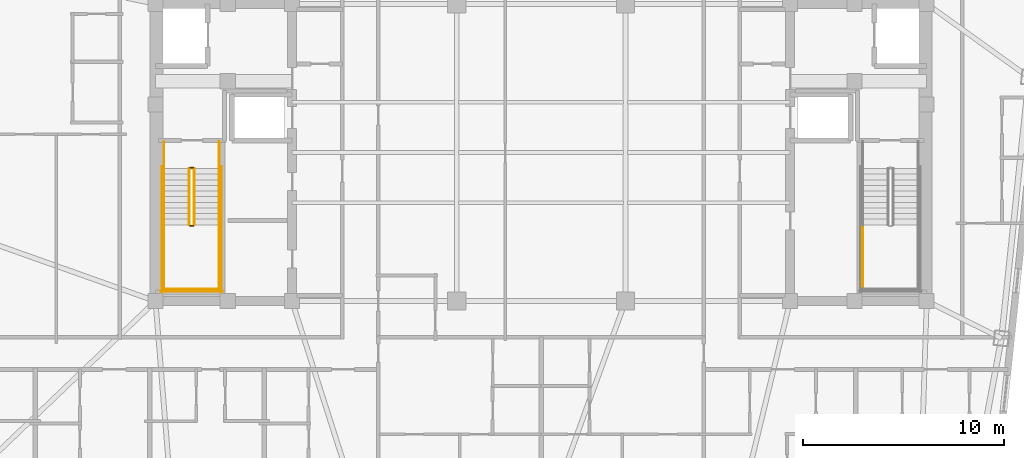
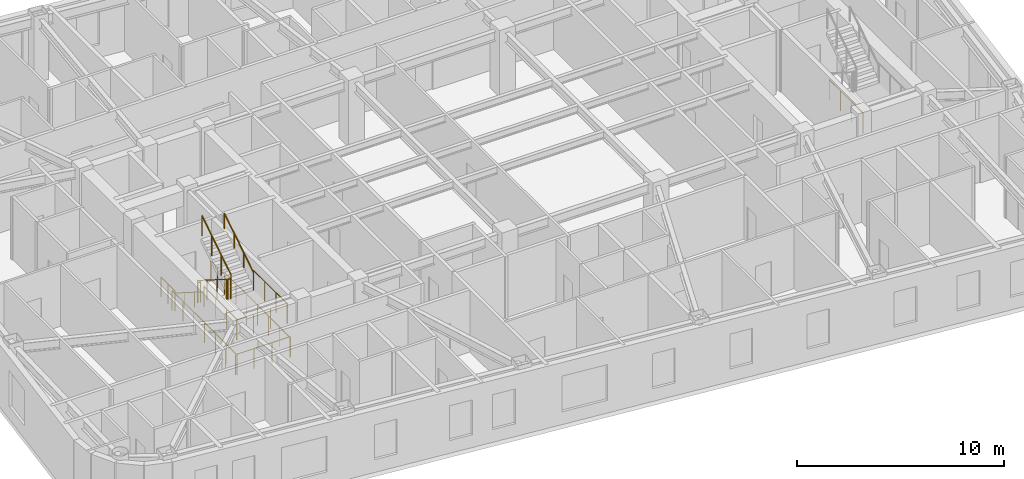
# One storey, part 10 of 11: 15 railings.
"""IFC4 building model written with IfcOpenShell, lengths in metres."""

from ifc_helpers import new_model, si_unit, direction, frame, origin, origin_2d, place, context, subcontext, project, spatial, circle, extrude, material, type_object, element, save


model = new_model("IFC4")

# Units and contexts
model_context = context("Model", 3, precision=1e-05, world=origin(), true_north=direction((0.0, 1.0)))
body_context = subcontext(model_context, "Body", "Model", "MODEL_VIEW")
ifc_project = project(units=[si_unit("LENGTHUNIT", "METRE"), si_unit("AREAUNIT", "SQUARE_METRE"), si_unit("VOLUMEUNIT", "CUBIC_METRE"), si_unit("PLANEANGLEUNIT", "RADIAN"), si_unit("MASSUNIT", "GRAM", prefix="KILO")], contexts=[model_context])

# Site, building, storey
site_placement = place(None, origin())
site = spatial("IfcSite", under=ifc_project, at=site_placement, CompositionType="ELEMENT")
building_placement = place(site_placement, origin())
building = spatial("IfcBuilding", under=site, at=building_placement, Name="Voryun Gate Residences", CompositionType="ELEMENT")
storey_placement = place(building_placement, frame((0.0, 0.0, 283.39990234375)))
storey = spatial("IfcBuildingStorey", under=building, at=storey_placement, Name="L70", CompositionType="ELEMENT", Elevation=283.39990234375)

# Railings
ifc_material_1 = material(Name="Painted steel", Category="steel")
railing_type_1 = type_object("IfcRailingType", Name="RAIL_STAIR_GUARD_1200", PredefinedType="GUARDRAIL", material=ifc_material_1)
railing_1_placement = place(storey_placement, frame((-17.52490234375, -0.800048828125, 0.177490234375)))
element("IfcRailing", 1, at=railing_1_placement, inside=storey, type_object=railing_type_1, Name="L70 ST-W1 stair guard 1", PredefinedType="GUARDRAIL", context=body_context, shape_type="SweptSolid", body=[
    extrude(circle(Radius=0.02392578125, at=origin_2d()), frame((0.0, 0.0, 1.17578125), z_axis=(0.0, -0.844908973607, 0.534910110503), x_axis=(1.0, 0.0, 0.0)), (0.0, 0.0, 1.0), 3.31396484375),
    extrude(circle(Radius=0.02099609375, at=origin_2d()), origin(), (0.0, 0.0, 1.0), 1.15185546875),
    extrude(circle(Radius=0.02099609375, at=origin_2d()), frame((0.0, -0.933349609375, 0.5908203125)), (0.0, 0.0, 1.0), 1.15185546875),
    extrude(circle(Radius=0.02099609375, at=origin_2d()), frame((0.0, -1.86669921875, 1.181884765625)), (0.0, 0.0, 1.0), 1.15185546875),
    extrude(circle(Radius=0.02099609375, at=origin_2d()), frame((0.0, -2.800048828125, 1.772705078125)), (0.0, 0.0, 1.0), 1.15185546875),
])
railing_2_placement = place(storey_placement, frame((-17.47509765625, -3.64990234375, 1.9501953125)))
element("IfcRailing", 2, at=railing_2_placement, inside=storey, type_object=railing_type_1, Name="L70 ST-W1 stair guard 2", PredefinedType="GUARDRAIL", context=body_context, shape_type="SweptSolid", body=[
    extrude(circle(Radius=0.02392578125, at=origin_2d()), frame((0.0, 0.0, 1.17578125), z_axis=(1.0, 0.0, 0.0), x_axis=(0.0, 1.0, 0.0)), (0.0, 0.0, 1.0), 0.150146484375),
    extrude(circle(Radius=0.02099609375, at=origin_2d()), origin(), (0.0, 0.0, 1.0), 1.15185546875),
    extrude(circle(Radius=0.02099609375, at=origin_2d()), frame((0.150146484375, 0.0, 0.0)), (0.0, 0.0, 1.0), 1.15185546875),
])
for number, where, name in (
    (3, (-18.77490234375, -3.60009765625, 1.9501953125), "L70 ST-W1 stair guard 3"),
    (4, (-16.02490234375, -3.60009765625, 1.9501953125), "L70 ST-W1 stair guard 4"),
):
    element("IfcRailing", number, at=place(storey_placement, frame(where)), inside=storey, type_object=railing_type_1, Name=name, PredefinedType="GUARDRAIL", context=body_context, shape_type="SweptSolid", body=[
        extrude(circle(Radius=0.02392578125, at=origin_2d()), frame((0.0, 0.0, 1.17578125), z_axis=(0.0, -1.0, 0.0), x_axis=(1.0, 0.0, 0.0)), (0.0, 0.0, 1.0), 3.25),
        extrude(circle(Radius=0.02099609375, at=origin_2d()), origin(), (0.0, 0.0, 1.0), 1.15185546875),
        extrude(circle(Radius=0.02099609375, at=origin_2d()), frame((0.0, -1.083251953125, 0.0)), (0.0, 0.0, 1.0), 1.15185546875),
        extrude(circle(Radius=0.02099609375, at=origin_2d()), frame((0.0, -2.166748046875, 0.0)), (0.0, 0.0, 1.0), 1.15185546875),
        extrude(circle(Radius=0.02099609375, at=origin_2d()), frame((0.0, -3.25, 0.0)), (0.0, 0.0, 1.0), 1.15185546875),
    ])
railing_3_placement = place(storey_placement, frame((-18.824951171875, -6.800048828125, 1.9501953125)))
element("IfcRailing", 5, at=railing_3_placement, inside=storey, type_object=railing_type_1, Name="L70 ST-W1 stair guard 5", PredefinedType="GUARDRAIL", context=body_context, shape_type="SweptSolid", body=[
    extrude(circle(Radius=0.02392578125, at=origin_2d()), frame((0.0, 0.0, 1.17578125), z_axis=(1.0, 0.0, 0.0), x_axis=(0.0, 1.0, 0.0)), (0.0, 0.0, 1.0), 2.849853515625),
    extrude(circle(Radius=0.02099609375, at=origin_2d()), origin(), (0.0, 0.0, 1.0), 1.15185546875),
    extrude(circle(Radius=0.02099609375, at=origin_2d()), frame((0.949951171875, 0.0, 0.0)), (0.0, 0.0, 1.0), 1.15185546875),
    extrude(circle(Radius=0.02099609375, at=origin_2d()), frame((1.89990234375, 0.0, 0.0)), (0.0, 0.0, 1.0), 1.15185546875),
    extrude(circle(Radius=0.02099609375, at=origin_2d()), frame((2.849853515625, 0.0, 0.0)), (0.0, 0.0, 1.0), 1.15185546875),
])
railing_4_placement = place(storey_placement, frame((-17.27490234375, -3.60009765625, 2.12744140625)))
element("IfcRailing", 6, at=railing_4_placement, inside=storey, type_object=railing_type_1, Name="L70 ST-W1 stair guard 6", PredefinedType="GUARDRAIL", context=body_context, shape_type="SweptSolid", body=[
    extrude(circle(Radius=0.02392578125, at=origin_2d()), frame((0.0, 0.0, 1.17578125), z_axis=(0.0, 0.844908973607, 0.534910110503), x_axis=(-1.0, 0.0, 0.0)), (0.0, 0.0, 1.0), 3.31396484375),
    extrude(circle(Radius=0.02099609375, at=origin_2d()), origin(), (0.0, 0.0, 1.0), 1.15185546875),
    extrude(circle(Radius=0.02099609375, at=origin_2d()), frame((0.0, 0.933349609375, 0.5908203125)), (0.0, 0.0, 1.0), 1.15185546875),
    extrude(circle(Radius=0.02099609375, at=origin_2d()), frame((0.0, 1.86669921875, 1.181884765625)), (0.0, 0.0, 1.0), 1.15185546875),
    extrude(circle(Radius=0.02099609375, at=origin_2d()), frame((0.0, 2.800048828125, 1.772705078125)), (0.0, 0.0, 1.0), 1.15185546875),
])
railing_5_placement = place(storey_placement, frame((-17.47509765625, -0.75, 0.0)))
element("IfcRailing", 7, at=railing_5_placement, inside=storey, type_object=railing_type_1, Name="L70 ST-W1 stair guard 7", PredefinedType="GUARDRAIL", context=body_context, shape_type="SweptSolid", body=[
    extrude(circle(Radius=0.02392578125, at=origin_2d()), frame((0.0, 0.0, 1.17578125), z_axis=(1.0, 0.0, 0.0), x_axis=(0.0, 1.0, 0.0)), (0.0, 0.0, 1.0), 0.150146484375),
    extrude(circle(Radius=0.02099609375, at=origin_2d()), origin(), (0.0, 0.0, 1.0), 1.15185546875),
    extrude(circle(Radius=0.02099609375, at=origin_2d()), frame((0.150146484375, 0.0, 0.0)), (0.0, 0.0, 1.0), 1.15185546875),
])
for number, where, name in (
    (8, (-18.77490234375, 0.550048828125, 0.0), "L70 ST-W1 stair guard 8"),
    (9, (-16.02490234375, 0.550048828125, 0.0), "L70 ST-W1 stair guard 9"),
):
    element("IfcRailing", number, at=place(storey_placement, frame(where)), inside=storey, type_object=railing_type_1, Name=name, PredefinedType="GUARDRAIL", context=body_context, shape_type="SweptSolid", body=[
        extrude(circle(Radius=0.02392578125, at=origin_2d()), frame((0.0, 0.0, 1.17578125), z_axis=(0.0, -1.0, 0.0), x_axis=(1.0, 0.0, 0.0)), (0.0, 0.0, 1.0), 1.35009765625),
        extrude(circle(Radius=0.02099609375, at=origin_2d()), origin(), (0.0, 0.0, 1.0), 1.15185546875),
        extrude(circle(Radius=0.02099609375, at=origin_2d()), frame((0.0, -0.675048828125, 0.0)), (0.0, 0.0, 1.0), 1.15185546875),
        extrude(circle(Radius=0.02099609375, at=origin_2d()), frame((0.0, -1.35009765625, 0.0)), (0.0, 0.0, 1.0), 1.15185546875),
    ])
for number, where, name in (
    (10, (-18.875, -0.699951171875, 0.0), "L70 ST-W1 stair guard 10"),
    (11, (-15.925048828125, -0.699951171875, 0.0), "L70 ST-W1 stair guard 11"),
):
    element("IfcRailing", number, at=place(storey_placement, frame(where)), inside=storey, type_object=railing_type_1, Name=name, PredefinedType="GUARDRAIL", context=body_context, shape_type="SweptSolid", body=[
        extrude(circle(Radius=0.02392578125, at=origin_2d()), frame((0.0, 0.0, 1.17578125), z_axis=(0.0, -1.0, 0.0), x_axis=(1.0, 0.0, 0.0)), (0.0, 0.0, 1.0), 6.25),
        extrude(circle(Radius=0.02099609375, at=origin_2d()), origin(), (0.0, 0.0, 1.0), 1.15185546875),
        extrude(circle(Radius=0.02099609375, at=origin_2d()), frame((0.0, -1.041748046875, 0.0)), (0.0, 0.0, 1.0), 1.15185546875),
        extrude(circle(Radius=0.02099609375, at=origin_2d()), frame((0.0, -2.083251953125, 0.0)), (0.0, 0.0, 1.0), 1.15185546875),
        extrude(circle(Radius=0.02099609375, at=origin_2d()), frame((0.0, -3.125, 0.0)), (0.0, 0.0, 1.0), 1.15185546875),
        extrude(circle(Radius=0.02099609375, at=origin_2d()), frame((0.0, -4.166748046875, 0.0)), (0.0, 0.0, 1.0), 1.15185546875),
        extrude(circle(Radius=0.02099609375, at=origin_2d()), frame((0.0, -5.208251953125, 0.0)), (0.0, 0.0, 1.0), 1.15185546875),
        extrude(circle(Radius=0.02099609375, at=origin_2d()), frame((0.0, -6.25, 0.0)), (0.0, 0.0, 1.0), 1.15185546875),
    ])
railing_6_placement = place(storey_placement, frame((-18.925048828125, -6.89990234375, 0.0)))
element("IfcRailing", 12, at=railing_6_placement, inside=storey, type_object=railing_type_1, Name="L70 ST-W1 stair guard 12", PredefinedType="GUARDRAIL", context=body_context, shape_type="SweptSolid", body=[
    extrude(circle(Radius=0.02392578125, at=origin_2d()), frame((0.0, 0.0, 1.17578125), z_axis=(1.0, 0.0, 0.0), x_axis=(0.0, 1.0, 0.0)), (0.0, 0.0, 1.0), 3.050048828125),
    extrude(circle(Radius=0.02099609375, at=origin_2d()), origin(), (0.0, 0.0, 1.0), 1.15185546875),
    extrude(circle(Radius=0.02099609375, at=origin_2d()), frame((1.0166015625, 0.0, 0.0)), (0.0, 0.0, 1.0), 1.15185546875),
    extrude(circle(Radius=0.02099609375, at=origin_2d()), frame((2.033447265625, 0.0, 0.0)), (0.0, 0.0, 1.0), 1.15185546875),
    extrude(circle(Radius=0.02099609375, at=origin_2d()), frame((3.050048828125, 0.0, 0.0)), (0.0, 0.0, 1.0), 1.15185546875),
])
railing_7_placement = place(storey_placement, frame((16.02490234375, -3.60009765625, 1.9501953125)))
element("IfcRailing", 13, at=railing_7_placement, inside=storey, type_object=railing_type_1, Name="L70 ST-E1 stair guard 3", PredefinedType="GUARDRAIL", context=body_context, shape_type="SweptSolid", body=[
    extrude(circle(Radius=0.02392578125, at=origin_2d()), frame((0.0, 0.0, 1.17578125), z_axis=(0.0, -1.0, 0.0), x_axis=(1.0, 0.0, 0.0)), (0.0, 0.0, 1.0), 3.25),
    extrude(circle(Radius=0.02099609375, at=origin_2d()), origin(), (0.0, 0.0, 1.0), 1.15185546875),
    extrude(circle(Radius=0.02099609375, at=origin_2d()), frame((0.0, -1.083251953125, 0.0)), (0.0, 0.0, 1.0), 1.15185546875),
    extrude(circle(Radius=0.02099609375, at=origin_2d()), frame((0.0, -2.166748046875, 0.0)), (0.0, 0.0, 1.0), 1.15185546875),
    extrude(circle(Radius=0.02099609375, at=origin_2d()), frame((0.0, -3.25, 0.0)), (0.0, 0.0, 1.0), 1.15185546875),
])
ifc_material_2 = material(Name="Painted steel", Category="steel")
railing_type_2 = type_object("IfcRailingType", Name="RAIL_STAIR_HANDRAIL_900", PredefinedType="HANDRAIL", material=ifc_material_2)
railing_8_placement = place(storey_placement, frame((-18.77490234375, -0.800048828125, 0.177490234375)))
element("IfcRailing", 14, at=railing_8_placement, inside=storey, type_object=railing_type_2, Name="L70 ST-W1 stair handrail 1", PredefinedType="HANDRAIL", context=body_context, shape_type="SweptSolid", body=[
    extrude(circle(Radius=0.02392578125, at=origin_2d()), frame((0.0, 0.0, 0.8759765625), z_axis=(0.0, -0.844908973607, 0.534910110503), x_axis=(1.0, 0.0, 0.0)), (0.0, 0.0, 1.0), 3.31396484375),
    extrude(circle(Radius=0.02099609375, at=origin_2d()), origin(), (0.0, 0.0, 1.0), 0.851806640625),
    extrude(circle(Radius=0.02099609375, at=origin_2d()), frame((0.0, -0.933349609375, 0.5908203125)), (0.0, 0.0, 1.0), 0.851806640625),
    extrude(circle(Radius=0.02099609375, at=origin_2d()), frame((0.0, -1.86669921875, 1.181884765625)), (0.0, 0.0, 1.0), 0.851806640625),
    extrude(circle(Radius=0.02099609375, at=origin_2d()), frame((0.0, -2.800048828125, 1.772705078125)), (0.0, 0.0, 1.0), 0.851806640625),
])
railing_9_placement = place(storey_placement, frame((-16.02490234375, -3.60009765625, 2.12744140625)))
element("IfcRailing", 15, at=railing_9_placement, inside=storey, type_object=railing_type_2, Name="L70 ST-W1 stair handrail 2", PredefinedType="HANDRAIL", context=body_context, shape_type="SweptSolid", body=[
    extrude(circle(Radius=0.02392578125, at=origin_2d()), frame((0.0, 0.0, 0.8759765625), z_axis=(0.0, 0.844908973607, 0.534910110503), x_axis=(-1.0, 0.0, 0.0)), (0.0, 0.0, 1.0), 3.31396484375),
    extrude(circle(Radius=0.02099609375, at=origin_2d()), origin(), (0.0, 0.0, 1.0), 0.851806640625),
    extrude(circle(Radius=0.02099609375, at=origin_2d()), frame((0.0, 0.933349609375, 0.5908203125)), (0.0, 0.0, 1.0), 0.851806640625),
    extrude(circle(Radius=0.02099609375, at=origin_2d()), frame((0.0, 1.86669921875, 1.181884765625)), (0.0, 0.0, 1.0), 0.851806640625),
    extrude(circle(Radius=0.02099609375, at=origin_2d()), frame((0.0, 2.800048828125, 1.772705078125)), (0.0, 0.0, 1.0), 0.851806640625),
])

save(model, "model.ifc")
